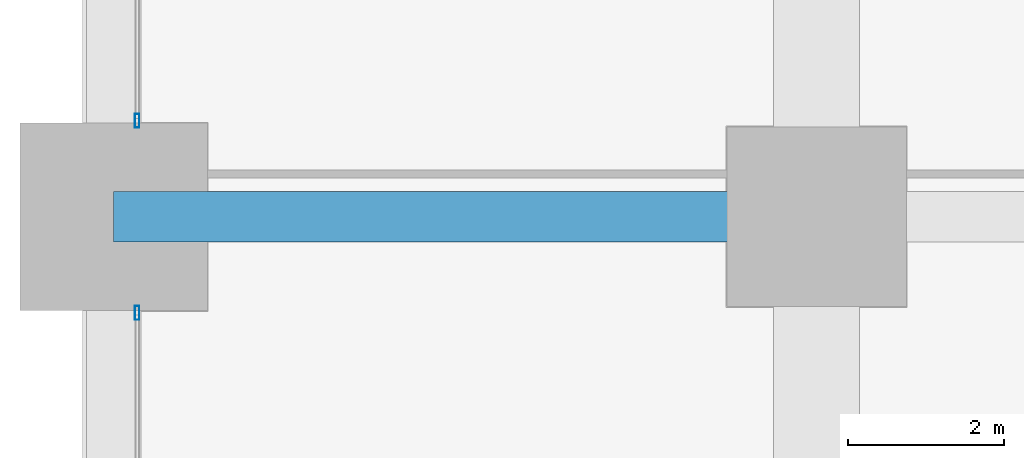
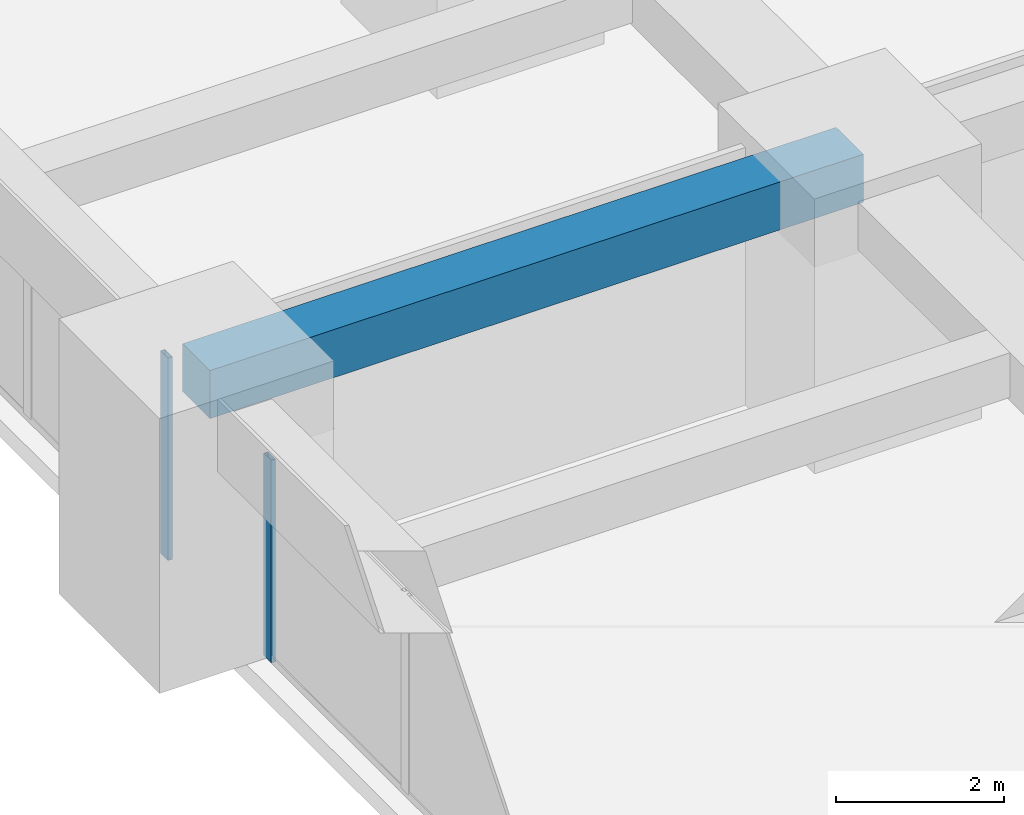
# One storey, part 23 of 45: 2 members, 1 beam, 2 elements without a shape of their own.
"""IFC4 building model written with IfcOpenShell, lengths in metres."""

from ifc_helpers import new_model, si_unit, direction, frame, origin, origin_2d, place, context, subcontext, project, spatial, rectangle, hollow_rectangle, extrude, material, material_profile, profile_set, type_object, element, aggregate, save


model = new_model("IFC4")

# Units and contexts
model_context = context("Model", 3, precision=1e-05, world=origin(), true_north=direction((0.0, 1.0)))
body_context = subcontext(model_context, "Body", "Model", "MODEL_VIEW")
ifc_project = project(units=[si_unit("LENGTHUNIT", "METRE"), si_unit("AREAUNIT", "SQUARE_METRE"), si_unit("VOLUMEUNIT", "CUBIC_METRE"), si_unit("PLANEANGLEUNIT", "RADIAN"), si_unit("MASSUNIT", "GRAM", prefix="KILO")], contexts=[model_context])

# Site, building, storey
site_placement = place(None, origin())
site = spatial("IfcSite", under=ifc_project, at=site_placement, CompositionType="ELEMENT")
building_placement = place(site_placement, origin())
building = spatial("IfcBuilding", under=site, at=building_placement, Name="Zorevar Civic Tower", CompositionType="ELEMENT")
storey_placement = place(building_placement, frame((0.0, 0.0, 23.800048828125)))
storey = spatial("IfcBuildingStorey", under=building, at=storey_placement, Name="L05", CompositionType="ELEMENT", Elevation=23.800048828125)

# Beam
ifc_material_1 = material(Name="Concrete C50/60", Category="concrete")
ifc_material_profile_1 = material_profile(ifc_material_1, rectangle(XDim=0.64990234375, YDim=0.699951171875, at=origin_2d()), Name="RC 650x700")
ifc_profile_set_1 = profile_set([ifc_material_profile_1], Name="Concrete C50/60")
beam_type = type_object("IfcBeamType", Name="Beam RC 650x700", PredefinedType="BEAM", material=ifc_profile_set_1)
beam_placement = place(storey_placement, frame((0.0, 36.0, 3.39990234375), z_axis=(1.0, 0.0, 0.0), x_axis=(0.0, 1.0, 0.0)))
element("IfcBeam", 1, at=beam_placement, inside=storey, type_object=beam_type, Name="Girder L06", PredefinedType="BEAM", context=body_context, shape_type="SweptSolid", body=[
    extrude(rectangle(XDim=0.64990234375, YDim=0.699951171875, at=origin_2d()), origin(), (0.0, 0.0, 1.0), 9.0),
])

# Curtain wall, member
ifc_material_2 = material(Name="Dark grey solar-control glass in black aluminium frame", Category="aluminium")
curtain_wall_type = type_object("IfcCurtainWallType", Name="Curtain wall CW2 low zone", PredefinedType="NOTDEFINED", material=ifc_material_2)
curtain_wall_1_placement = place(storey_placement, origin())
curtain_wall_1 = element("IfcCurtainWall", 2, at=curtain_wall_1_placement, inside=storey, type_object=curtain_wall_type, Name="CW2 L05", PredefinedType="NOTDEFINED")
ifc_material_3 = material(Name="Aluminium, black anodised", Category="aluminium")
ifc_material_profile_2 = material_profile(ifc_material_3, hollow_rectangle(XDim=0.06005859375, YDim=0.179931640625, WallThickness=0.00390625, at=origin_2d()), Name="AL 180x60x4")
ifc_profile_set_2 = profile_set([ifc_material_profile_2], Name="Aluminium, black anodised")
member_type = type_object("IfcMemberType", Name="CW2 mullion AL 180x60x4", PredefinedType="MULLION", material=ifc_profile_set_2)
member_1_placement = place(storey_placement, frame((0.300048828125, 34.77001953125, 0.0), z_axis=(0.0, 0.0, 1.0), x_axis=(-1.0, 0.0, 0.0)))
member_1 = element("IfcMember", 3, at=member_1_placement, type_object=member_type, Name="CW2 mullion 3", PredefinedType="MULLION", context=body_context, shape_type="SweptSolid", body=[
    extrude(hollow_rectangle(XDim=0.06005859375, YDim=0.179931640625, WallThickness=0.00390625, at=origin_2d()), origin(), (0.0, 0.0, 1.0), 2.949951171875),
])
aggregate(curtain_wall_1, [member_1])

curtain_wall_2_placement = place(storey_placement, origin())
curtain_wall_2 = element("IfcCurtainWall", 4, at=curtain_wall_2_placement, inside=storey, type_object=curtain_wall_type, Name="CW2 L05", PredefinedType="NOTDEFINED")
member_2_placement = place(storey_placement, frame((0.300048828125, 37.22998046875, 0.0), z_axis=(0.0, 0.0, 1.0), x_axis=(-1.0, 0.0, 0.0)))
member_2 = element("IfcMember", 5, at=member_2_placement, type_object=member_type, Name="CW2 mullion 1", PredefinedType="MULLION", context=body_context, shape_type="SweptSolid", body=[
    extrude(hollow_rectangle(XDim=0.06005859375, YDim=0.179931640625, WallThickness=0.00390625, at=origin_2d()), origin(), (0.0, 0.0, 1.0), 2.949951171875),
])
aggregate(curtain_wall_2, [member_2])

save(model, "model.ifc")
